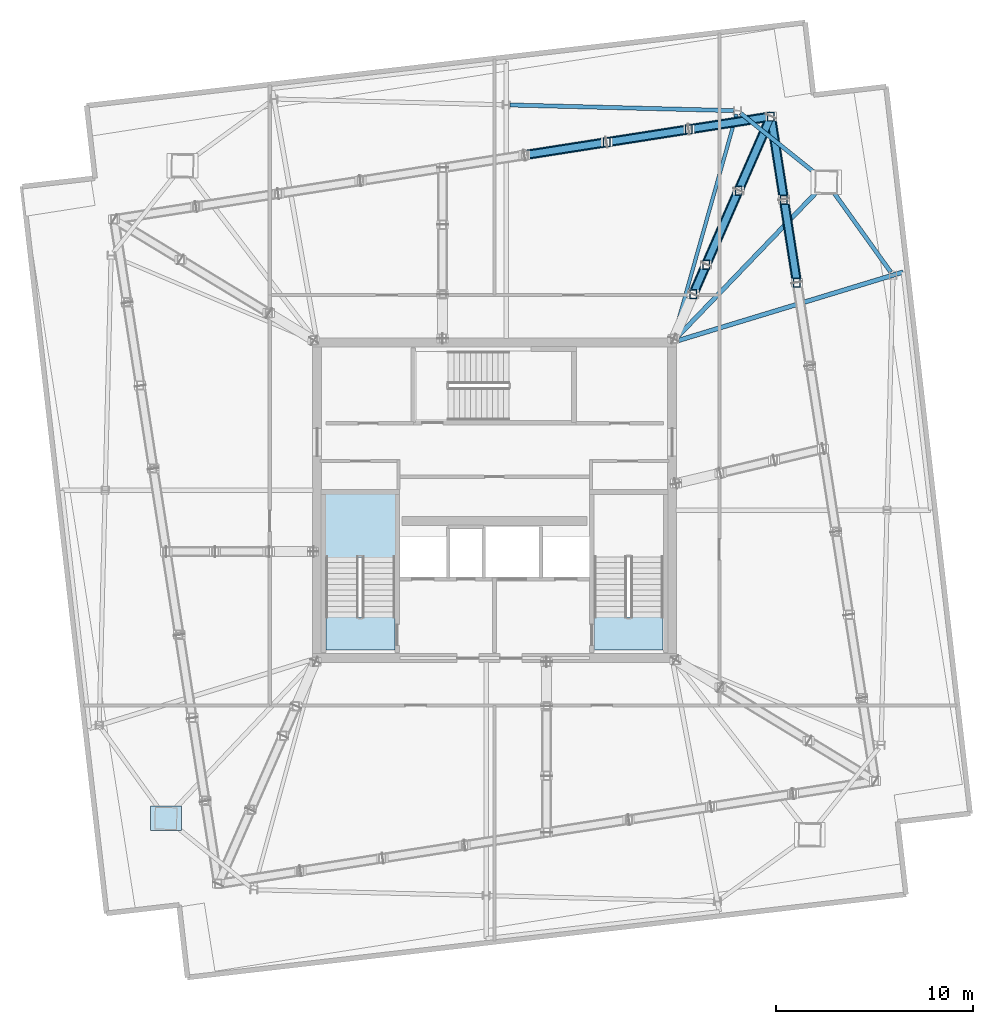
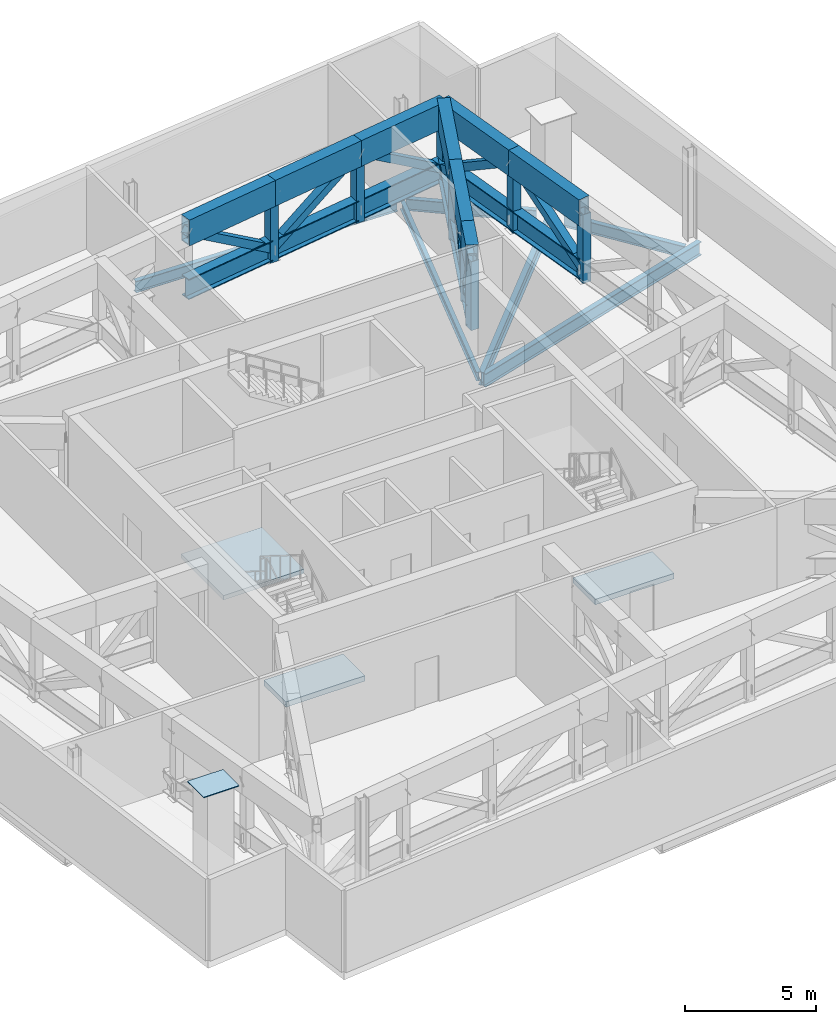
# One storey, part 4 of 13: 32 members, 6 beams, 3 slabs, 1 plate, 1 element without a shape of its own.
"""IFC4 building model written with IfcOpenShell, lengths in metres."""

from ifc_helpers import new_model, si_unit, direction, frame, origin, origin_2d, place, context, subcontext, project, spatial, polyline, rectangle, hollow_rectangle, i_section, outline, extrude, source, transform, mapped, material, layer, layer_set, material_profile, profile_set, type_object, element, aggregate, save


model = new_model("IFC4")

# Units and contexts
model_context = context("Model", 3, precision=1e-05, world=origin(), true_north=direction((0.0, 1.0)))
body_context = subcontext(model_context, "Body", "Model", "MODEL_VIEW")
ifc_project = project(units=[si_unit("LENGTHUNIT", "METRE"), si_unit("AREAUNIT", "SQUARE_METRE"), si_unit("VOLUMEUNIT", "CUBIC_METRE"), si_unit("PLANEANGLEUNIT", "RADIAN"), si_unit("MASSUNIT", "GRAM", prefix="KILO")], contexts=[model_context])

# Site, building, storey
site_placement = place(None, origin())
site = spatial("IfcSite", under=ifc_project, at=site_placement, CompositionType="ELEMENT")
building_placement = place(site_placement, origin())
building = spatial("IfcBuilding", under=site, at=building_placement, Name="Haldenkirk Collegiate Tower", CompositionType="ELEMENT")
storey_placement = place(building_placement, frame((0.0, 0.0, 352.199951171875)))
storey = spatial("IfcBuildingStorey", under=building, at=storey_placement, Name="L89", CompositionType="ELEMENT", Elevation=352.199951171875)

# Beams
ifc_material_1 = material(Name="Steel ASTM A992 Grade 50", Category="steel")
ifc_material_profile_1 = material_profile(ifc_material_1, i_section(OverallWidth=0.22998046875, OverallDepth=0.616943359375, WebThickness=0.01318359375, FlangeThickness=0.022216796875, at=origin_2d()), Name="W24X94")
ifc_profile_set_1 = profile_set([ifc_material_profile_1], Name="Steel ASTM A992 Grade 50")
beam_type_1 = type_object("IfcBeamType", Name="BM-GIRDER-W24X94", PredefinedType="BEAM", material=ifc_profile_set_1)
beam_1_placement = place(storey_placement, frame((52.428955078125, 41.7294921875, -0.70849609375), z_axis=(-0.692944915375, -0.720990529935, 0.0), x_axis=(0.720990529935, -0.692944915375, 0.0)))
element("IfcBeam", 1, at=beam_1_placement, inside=storey, type_object=beam_type_1, Name="L89 primary floor girder 02", PredefinedType="BEAM", context=body_context, shape_type="SweptSolid", body=[
    extrude(i_section(OverallWidth=0.22998046875, OverallDepth=0.616943359375, WebThickness=0.01318359375, FlangeThickness=0.022216796875, at=origin_2d()), origin(), (0.0, 0.0, 1.0), 10.515869140625),
])
beam_2_placement = place(storey_placement, frame((56.712890625, 37.566162109375, -0.70849609375), z_axis=(-0.956645631964, -0.291254416006, 0.0), x_axis=(0.291254416006, -0.956645631964, 0.0)))
element("IfcBeam", 2, at=beam_2_placement, inside=storey, type_object=beam_type_1, Name="L89 primary floor girder 07", PredefinedType="BEAM", context=body_context, shape_type="SweptSolid", body=[
    extrude(i_section(OverallWidth=0.22998046875, OverallDepth=0.616943359375, WebThickness=0.01318359375, FlangeThickness=0.022216796875, at=origin_2d()), origin(), (0.0, 0.0, 1.0), 12.038818359375),
])
ifc_material_profile_2 = material_profile(ifc_material_1, i_section(OverallWidth=0.177978515625, OverallDepth=0.406005859375, WebThickness=0.0078125, FlangeThickness=0.0126953125, at=origin_2d()), Name="W16X40")
ifc_profile_set_2 = profile_set([ifc_material_profile_2], Name="Steel ASTM A992 Grade 50")
beam_type_2 = type_object("IfcBeamType", Name="BM-JOIST-W16X40", PredefinedType="JOIST", material=ifc_profile_set_2)
beam_3_placement = place(storey_placement, frame((48.260498046875, 45.56396484375, -0.60302734375), z_axis=(-0.271369327718, -0.962475292137, 0.0), x_axis=(0.962475292137, -0.271369327718, 0.0)))
element("IfcBeam", 3, at=beam_3_placement, inside=storey, type_object=beam_type_2, Name="L89 composite floor joist 08", PredefinedType="JOIST", context=body_context, shape_type="SweptSolid", body=[
    extrude(i_section(OverallWidth=0.177978515625, OverallDepth=0.406005859375, WebThickness=0.0078125, FlangeThickness=0.0126953125, at=origin_2d()), origin(), (0.0, 0.0, 1.0), 11.809814453125),
])
ifc_material_profile_3 = material_profile(ifc_material_1, i_section(OverallWidth=0.2099609375, OverallDepth=0.537109375, WebThickness=0.010986328125, FlangeThickness=0.017333984375, at=origin_2d()), Name="W21X68")
ifc_profile_set_3 = profile_set([ifc_material_profile_3], Name="Steel ASTM A992 Grade 50")
beam_type_3 = type_object("IfcBeamType", Name="BM-SPANDREL-W21X68", PredefinedType="SPANDREL", material=ifc_profile_set_3)
beam_4_placement = place(storey_placement, frame((56.085693359375, 37.561279296875, -0.66845703125), z_axis=(-0.582300220922, 0.812973832737, 0.0), x_axis=(-0.812973832737, -0.582300220922, 0.0)))
element("IfcBeam", 4, at=beam_4_placement, inside=storey, type_object=beam_type_3, Name="L89 perimeter spandrel beam 04", PredefinedType="SPANDREL", context=body_context, shape_type="SweptSolid", body=[
    extrude(i_section(OverallWidth=0.2099609375, OverallDepth=0.537109375, WebThickness=0.010986328125, FlangeThickness=0.017333984375, at=origin_2d()), origin(), (0.0, 0.0, 1.0), 5.064453125),
])
beam_5_placement = place(storey_placement, frame((52.380859375, 42.477294921875, -0.66845703125), z_axis=(-0.779721728928, 0.626126205678, 0.0), x_axis=(-0.626126205678, -0.779721728928, 0.0)))
element("IfcBeam", 5, at=beam_5_placement, inside=storey, type_object=beam_type_3, Name="L89 perimeter spandrel beam 05", PredefinedType="SPANDREL", context=body_context, shape_type="SweptSolid", body=[
    extrude(i_section(OverallWidth=0.2099609375, OverallDepth=0.537109375, WebThickness=0.010986328125, FlangeThickness=0.017333984375, at=origin_2d()), origin(), (0.0, 0.0, 1.0), 5.03076171875),
])
beam_6_placement = place(storey_placement, frame((48.123779296875, 45.74951171875, -0.66845703125), z_axis=(-0.999679864584, 0.025301548267, 0.0), x_axis=(-0.025301548267, -0.999679864584, 0.0)))
element("IfcBeam", 6, at=beam_6_placement, inside=storey, type_object=beam_type_3, Name="L89 perimeter spandrel beam 06", PredefinedType="SPANDREL", context=body_context, shape_type="SweptSolid", body=[
    extrude(i_section(OverallWidth=0.2099609375, OverallDepth=0.537109375, WebThickness=0.010986328125, FlangeThickness=0.017333984375, at=origin_2d()), origin(), (0.0, 0.0, 1.0), 11.357177734375),
])

# Members
ifc_material_2 = material(Name="Steel ASTM A572 Grade 50", Category="steel")
ifc_material_profile_4 = material_profile(ifc_material_2, hollow_rectangle(XDim=0.5, YDim=1.199951171875, WallThickness=0.050048828125, at=origin_2d()), Name="BOX1200X500X50")
ifc_profile_set_4 = profile_set([ifc_material_profile_4], Name="Steel ASTM A572 Grade 50")
member_type_1 = type_object("IfcMemberType", Name="MBR-CHORD-BOX1200", PredefinedType="CHORD", material=ifc_profile_set_4)
member_1_placement = place(storey_placement, frame((46.07177734375, 36.449951171875, 3.199951171875), z_axis=(0.400724281953, 0.916198695619, 0.0), x_axis=(-0.916198695619, 0.400724281953, 0.0)))
element("IfcMember", 7, at=member_1_placement, inside=storey, type_object=member_type_1, Name="Outrigger Truss L89-3 top chord 2", PredefinedType="CHORD", context=body_context, shape_type="SweptSolid", body=[
    extrude(hollow_rectangle(XDim=0.5, YDim=1.199951171875, WallThickness=0.050048828125, at=origin_2d()), origin(), (0.0, 0.0, 1.0), 1.62548828125),
])
member_2_placement = place(storey_placement, frame((46.72314453125, 37.939208984375, 3.199951171875), z_axis=(0.400750110003, 0.916187398589, 0.0), x_axis=(-0.916187398589, 0.400750110003, 0.0)))
element("IfcMember", 8, at=member_2_placement, inside=storey, type_object=member_type_1, Name="Outrigger Truss L89-3 top chord 3", PredefinedType="CHORD", context=body_context, shape_type="SweptSolid", body=[
    extrude(hollow_rectangle(XDim=0.5, YDim=1.199951171875, WallThickness=0.050048828125, at=origin_2d()), origin(), (0.0, 0.0, 1.0), 4.10009765625),
])
member_3_placement = place(storey_placement, frame((48.3662109375, 41.695556640625, 3.199951171875), z_axis=(0.400771974424, 0.916177834548, 0.0), x_axis=(-0.916177834548, 0.400771974424, 0.0)))
element("IfcMember", 9, at=member_3_placement, inside=storey, type_object=member_type_1, Name="Outrigger Truss L89-3 top chord 4", PredefinedType="CHORD", context=body_context, shape_type="SweptSolid", body=[
    extrude(hollow_rectangle(XDim=0.5, YDim=1.199951171875, WallThickness=0.050048828125, at=origin_2d()), origin(), (0.0, 0.0, 1.0), 4.099853515625),
])
for number, where, z_axis, x_axis, name in (
    (10, (51.328125, 37.029296875, 3.199951171875), (-0.154703604037, 0.987960927819, 0.0), (-0.987960927819, -0.154703604037, 0.0), "Belt Truss L89-2 top chord 3"),
    (11, (50.668701171875, 41.240478515625, 3.199951171875), (-0.154703604037, 0.987960927819, 0.0), (-0.987960927819, -0.154703604037, 0.0), "Belt Truss L89-2 top chord 4"),
):
    element("IfcMember", number, at=place(storey_placement, frame(where, z_axis=z_axis, x_axis=x_axis)), inside=storey, type_object=member_type_1, Name=name, PredefinedType="CHORD", context=body_context, shape_type="SweptSolid", body=[
        extrude(hollow_rectangle(XDim=0.5, YDim=1.199951171875, WallThickness=0.050048828125, at=origin_2d()), origin(), (0.0, 0.0, 1.0), 4.262451171875),
    ])
member_4_placement = place(storey_placement, frame((50.00927734375, 45.45166015625, 3.199951171875), z_axis=(-0.98795533843, -0.154739294516, 0.0), x_axis=(0.154739294516, -0.98795533843, 0.0)))
element("IfcMember", 12, at=member_4_placement, inside=storey, type_object=member_type_1, Name="Belt Truss L89-3 top chord 1", PredefinedType="CHORD", context=body_context, shape_type="SweptSolid", body=[
    extrude(hollow_rectangle(XDim=0.5, YDim=1.199951171875, WallThickness=0.050048828125, at=origin_2d()), origin(), (0.0, 0.0, 1.0), 4.212646484375),
])
member_5_placement = place(storey_placement, frame((45.847412109375, 44.7998046875, 3.199951171875), z_axis=(-0.987962809958, -0.154691583936, 0.0), x_axis=(0.154691583936, -0.987962809958, 0.0)))
element("IfcMember", 13, at=member_5_placement, inside=storey, type_object=member_type_1, Name="Belt Truss L89-3 top chord 2", PredefinedType="CHORD", context=body_context, shape_type="SweptSolid", body=[
    extrude(hollow_rectangle(XDim=0.5, YDim=1.199951171875, WallThickness=0.050048828125, at=origin_2d()), origin(), (0.0, 0.0, 1.0), 4.21240234375),
])
member_6_placement = place(storey_placement, frame((41.685791015625, 44.148193359375, 3.199951171875), z_axis=(-0.98795533843, -0.154739294516, 0.0), x_axis=(0.154739294516, -0.98795533843, 0.0)))
element("IfcMember", 14, at=member_6_placement, inside=storey, type_object=member_type_1, Name="Belt Truss L89-3 top chord 3", PredefinedType="CHORD", context=body_context, shape_type="SweptSolid", body=[
    extrude(hollow_rectangle(XDim=0.5, YDim=1.199951171875, WallThickness=0.050048828125, at=origin_2d()), origin(), (0.0, 0.0, 1.0), 4.212646484375),
])
ifc_material_3 = material(Name="Steel ASTM A913 Grade 65", Category="steel")
ifc_material_profile_5 = material_profile(ifc_material_3, i_section(OverallWidth=0.423095703125, OverallDepth=0.947998046875, WebThickness=0.02392578125, FlangeThickness=0.042724609375, at=origin_2d()), Name="W36X302")
ifc_profile_set_5 = profile_set([ifc_material_profile_5], Name="Steel ASTM A913 Grade 65")
member_type_2 = type_object("IfcMemberType", Name="MBR-CHORD-W36X302", PredefinedType="CHORD", material=ifc_profile_set_5)
member_7_placement = place(storey_placement, frame((46.07177734375, 36.449951171875, 0.550048828125), z_axis=(0.400724281953, 0.916198695619, 0.0), x_axis=(-0.916198695619, 0.400724281953, 0.0)))
element("IfcMember", 15, at=member_7_placement, inside=storey, type_object=member_type_2, Name="Outrigger Truss L89-3 bottom chord 2", PredefinedType="CHORD", context=body_context, shape_type="SweptSolid", body=[
    extrude(i_section(OverallWidth=0.423095703125, OverallDepth=0.947998046875, WebThickness=0.02392578125, FlangeThickness=0.042724609375, at=origin_2d()), origin(), (0.0, 0.0, 1.0), 1.62548828125),
])
member_8_placement = place(storey_placement, frame((46.72314453125, 37.939208984375, 0.550048828125), z_axis=(0.400750110003, 0.916187398589, 0.0), x_axis=(-0.916187398589, 0.400750110003, 0.0)))
element("IfcMember", 16, at=member_8_placement, inside=storey, type_object=member_type_2, Name="Outrigger Truss L89-3 bottom chord 3", PredefinedType="CHORD", context=body_context, shape_type="SweptSolid", body=[
    extrude(i_section(OverallWidth=0.423095703125, OverallDepth=0.947998046875, WebThickness=0.02392578125, FlangeThickness=0.042724609375, at=origin_2d()), origin(), (0.0, 0.0, 1.0), 4.10009765625),
])
member_9_placement = place(storey_placement, frame((48.3662109375, 41.695556640625, 0.550048828125), z_axis=(0.400771974424, 0.916177834548, 0.0), x_axis=(-0.916177834548, 0.400771974424, 0.0)))
element("IfcMember", 17, at=member_9_placement, inside=storey, type_object=member_type_2, Name="Outrigger Truss L89-3 bottom chord 4", PredefinedType="CHORD", context=body_context, shape_type="SweptSolid", body=[
    extrude(i_section(OverallWidth=0.423095703125, OverallDepth=0.947998046875, WebThickness=0.02392578125, FlangeThickness=0.042724609375, at=origin_2d()), origin(), (0.0, 0.0, 1.0), 4.099853515625),
])
for number, where, z_axis, x_axis, name in (
    (18, (51.328125, 37.029296875, 0.550048828125), (-0.154703604037, 0.987960927819, 0.0), (-0.987960927819, -0.154703604037, 0.0), "Belt Truss L89-2 bottom chord 3"),
    (19, (50.668701171875, 41.240478515625, 0.550048828125), (-0.154703604037, 0.987960927819, 0.0), (-0.987960927819, -0.154703604037, 0.0), "Belt Truss L89-2 bottom chord 4"),
):
    element("IfcMember", number, at=place(storey_placement, frame(where, z_axis=z_axis, x_axis=x_axis)), inside=storey, type_object=member_type_2, Name=name, PredefinedType="CHORD", context=body_context, shape_type="SweptSolid", body=[
        extrude(i_section(OverallWidth=0.423095703125, OverallDepth=0.947998046875, WebThickness=0.02392578125, FlangeThickness=0.042724609375, at=origin_2d()), origin(), (0.0, 0.0, 1.0), 4.262451171875),
    ])
member_10_placement = place(storey_placement, frame((50.00927734375, 45.45166015625, 0.550048828125), z_axis=(-0.98795533843, -0.154739294516, 0.0), x_axis=(0.154739294516, -0.98795533843, 0.0)))
element("IfcMember", 20, at=member_10_placement, inside=storey, type_object=member_type_2, Name="Belt Truss L89-3 bottom chord 1", PredefinedType="CHORD", context=body_context, shape_type="SweptSolid", body=[
    extrude(i_section(OverallWidth=0.423095703125, OverallDepth=0.947998046875, WebThickness=0.02392578125, FlangeThickness=0.042724609375, at=origin_2d()), origin(), (0.0, 0.0, 1.0), 4.212646484375),
])
member_11_placement = place(storey_placement, frame((45.847412109375, 44.7998046875, 0.550048828125), z_axis=(-0.987962809958, -0.154691583936, 0.0), x_axis=(0.154691583936, -0.987962809958, 0.0)))
element("IfcMember", 21, at=member_11_placement, inside=storey, type_object=member_type_2, Name="Belt Truss L89-3 bottom chord 2", PredefinedType="CHORD", context=body_context, shape_type="SweptSolid", body=[
    extrude(i_section(OverallWidth=0.423095703125, OverallDepth=0.947998046875, WebThickness=0.02392578125, FlangeThickness=0.042724609375, at=origin_2d()), origin(), (0.0, 0.0, 1.0), 4.21240234375),
])
member_12_placement = place(storey_placement, frame((41.685791015625, 44.148193359375, 0.550048828125), z_axis=(-0.98795533843, -0.154739294516, 0.0), x_axis=(0.154739294516, -0.98795533843, 0.0)))
element("IfcMember", 22, at=member_12_placement, inside=storey, type_object=member_type_2, Name="Belt Truss L89-3 bottom chord 3", PredefinedType="CHORD", context=body_context, shape_type="SweptSolid", body=[
    extrude(i_section(OverallWidth=0.423095703125, OverallDepth=0.947998046875, WebThickness=0.02392578125, FlangeThickness=0.042724609375, at=origin_2d()), origin(), (0.0, 0.0, 1.0), 4.212646484375),
])
ifc_material_profile_6 = material_profile(ifc_material_2, hollow_rectangle(XDim=0.35009765625, YDim=0.35009765625, WallThickness=0.01611328125, at=origin_2d()), Name="HSS350X350X16")
ifc_profile_set_6 = profile_set([ifc_material_profile_6], Name="Steel ASTM A572 Grade 50")
member_type_3 = type_object("IfcMemberType", Name="MBR-TRUSSDIAG-HSS350X350X16", PredefinedType="BRACE", material=ifc_profile_set_6)
member_13_placement = place(storey_placement, frame((46.07177734375, 36.449951171875, 3.199951171875), z_axis=(0.20952894945, 0.479057942896, -0.852409002), x_axis=(-0.916198695619, 0.400724281953, 0.0)))
element("IfcMember", 23, at=member_13_placement, inside=storey, type_object=member_type_3, Name="Outrigger Truss L89-3 web diagonal 2", PredefinedType="BRACE", context=body_context, shape_type="SweptSolid", body=[
    extrude(hollow_rectangle(XDim=0.35009765625, YDim=0.35009765625, WallThickness=0.01611328125, at=origin_2d()), origin(), (0.0, 0.0, 1.0), 3.108642578125),
])
member_14_placement = place(storey_placement, frame((46.72314453125, 37.939208984375, 0.550048828125), z_axis=(0.336571018929, 0.769462362146, 0.542814537809), x_axis=(-0.916187398589, 0.400750110003, 0.0)))
element("IfcMember", 24, at=member_14_placement, inside=storey, type_object=member_type_3, Name="Outrigger Truss L89-3 web diagonal 3", PredefinedType="BRACE", context=body_context, shape_type="SweptSolid", body=[
    extrude(hollow_rectangle(XDim=0.35009765625, YDim=0.35009765625, WallThickness=0.01611328125, at=origin_2d()), origin(), (0.0, 0.0, 1.0), 4.8818359375),
])
member_15_placement = place(storey_placement, frame((48.3662109375, 41.695556640625, 3.199951171875), z_axis=(0.336583970925, 0.76944196028, -0.542835426512), x_axis=(-0.916177834548, 0.400771974424, 0.0)))
element("IfcMember", 25, at=member_15_placement, inside=storey, type_object=member_type_3, Name="Outrigger Truss L89-3 web diagonal 4", PredefinedType="BRACE", context=body_context, shape_type="SweptSolid", body=[
    extrude(hollow_rectangle(XDim=0.35009765625, YDim=0.35009765625, WallThickness=0.01611328125, at=origin_2d()), origin(), (0.0, 0.0, 1.0), 4.881591796875),
])
for number, where, z_axis, x_axis, name in (
    (26, (51.328125, 37.029296875, 0.550048828125), (-0.131384165452, 0.83903941869, 0.527968801117), (-0.987960927819, -0.154703604037, 0.0), "Belt Truss L89-2 web diagonal 3"),
    (27, (50.668701171875, 41.240478515625, 3.199951171875), (-0.131384165452, 0.83903941869, -0.527968801117), (-0.987960927819, -0.154703604037, 0.0), "Belt Truss L89-2 web diagonal 4"),
):
    element("IfcMember", number, at=place(storey_placement, frame(where, z_axis=z_axis, x_axis=x_axis)), inside=storey, type_object=member_type_3, Name=name, PredefinedType="BRACE", context=body_context, shape_type="SweptSolid", body=[
        extrude(hollow_rectangle(XDim=0.35009765625, YDim=0.35009765625, WallThickness=0.01611328125, at=origin_2d()), origin(), (0.0, 0.0, 1.0), 5.01904296875),
    ])
member_16_placement = place(storey_placement, frame((50.00927734375, 45.45166015625, 0.550048828125), z_axis=(-0.836262007155, -0.130980205262, 0.532456609706), x_axis=(0.154739294516, -0.98795533843, 0.0)))
element("IfcMember", 28, at=member_16_placement, inside=storey, type_object=member_type_3, Name="Belt Truss L89-3 web diagonal 1", PredefinedType="BRACE", context=body_context, shape_type="SweptSolid", body=[
    extrude(hollow_rectangle(XDim=0.35009765625, YDim=0.35009765625, WallThickness=0.01611328125, at=origin_2d()), origin(), (0.0, 0.0, 1.0), 4.976806640625),
])
member_17_placement = place(storey_placement, frame((45.847412109375, 44.7998046875, 3.199951171875), z_axis=(-0.836252629414, -0.130937361722, -0.532481874907), x_axis=(0.154691583936, -0.987962809958, 0.0)))
element("IfcMember", 29, at=member_17_placement, inside=storey, type_object=member_type_3, Name="Belt Truss L89-3 web diagonal 2", PredefinedType="BRACE", context=body_context, shape_type="SweptSolid", body=[
    extrude(hollow_rectangle(XDim=0.35009765625, YDim=0.35009765625, WallThickness=0.01611328125, at=origin_2d()), origin(), (0.0, 0.0, 1.0), 4.9765625),
])
member_18_placement = place(storey_placement, frame((41.685791015625, 44.148193359375, 0.550048828125), z_axis=(-0.836262007155, -0.130980205262, 0.532456609706), x_axis=(0.154739294516, -0.98795533843, 0.0)))
element("IfcMember", 30, at=member_18_placement, inside=storey, type_object=member_type_3, Name="Belt Truss L89-3 web diagonal 3", PredefinedType="BRACE", context=body_context, shape_type="SweptSolid", body=[
    extrude(hollow_rectangle(XDim=0.35009765625, YDim=0.35009765625, WallThickness=0.01611328125, at=origin_2d()), origin(), (0.0, 0.0, 1.0), 4.976806640625),
])
ifc_material_profile_7 = material_profile(ifc_material_2, hollow_rectangle(XDim=0.35009765625, YDim=0.449951171875, WallThickness=0.02197265625, at=origin_2d()), Name="HSS450X350X22")
ifc_profile_set_7 = profile_set([ifc_material_profile_7], Name="Steel ASTM A572 Grade 50")
member_type_4 = type_object("IfcMemberType", Name="MBR-TRUSSPOST-HSS450X350X22", PredefinedType="POST", material=ifc_profile_set_7)
for number, where, z_axis, x_axis, name in (
    (31, (46.07177734375, 36.449951171875, 0.0), (0.0, 0.0, 1.0), (1.0, 0.0, 0.0), "Outrigger Truss L89-3 vertical post 2"),
    (32, (46.72314453125, 37.939208984375, 0.0), (0.0, 0.0, 1.0), (1.0, 0.0, 0.0), "Outrigger Truss L89-3 vertical post 3"),
    (33, (48.3662109375, 41.695556640625, 0.0), (0.0, 0.0, 1.0), (1.0, 0.0, 0.0), "Outrigger Truss L89-3 vertical post 4"),
    (34, (50.00927734375, 45.45166015625, 0.0), (0.0, 0.0, 1.0), (1.0, 0.0, 0.0), "Outrigger Truss L89-3 vertical post 5"),
    (35, (51.328125, 37.029296875, 0.0), (0.0, 0.0, 1.0), (1.0, 0.0, 0.0), "Belt Truss L89-2 vertical post 3"),
    (36, (50.668701171875, 41.240478515625, 0.0), (0.0, 0.0, 1.0), (1.0, 0.0, 0.0), "Belt Truss L89-2 vertical post 4"),
    (37, (45.847412109375, 44.7998046875, 0.0), (0.0, 0.0, 1.0), (1.0, 0.0, 0.0), "Belt Truss L89-3 vertical post 2"),
    (38, (41.685791015625, 44.148193359375, 0.0), (0.0, 0.0, 1.0), (1.0, 0.0, 0.0), "Belt Truss L89-3 vertical post 3"),
):
    element("IfcMember", number, at=place(storey_placement, frame(where, z_axis=z_axis, x_axis=x_axis)), inside=storey, type_object=member_type_4, Name=name, PredefinedType="POST", context=body_context, shape_type="SweptSolid", body=[
        extrude(hollow_rectangle(XDim=0.35009765625, YDim=0.449951171875, WallThickness=0.02197265625, at=origin_2d()), origin(), (0.0, 0.0, 1.0), 3.199951171875),
    ])

# Stair, slab
ifc_material_4 = material(Name="Concrete f'c 40 MPa", Category="concrete")
stair_type = type_object("IfcStairType", Name="STR-DOGLEG-1650", PredefinedType="HALF_TURN_STAIR", material=ifc_material_4)
stair_placement = place(storey_placement, origin())
stair = element("IfcStair", 39, at=stair_placement, inside=storey, type_object=stair_type, Name="L89 Core Exit Stair ST-1", PredefinedType="HALF_TURN_STAIR")
ifc_layer_1 = layer(ifc_material_4, 0.199951171875)
ifc_layer_set_1 = layer_set([ifc_layer_1], Name="Concrete f'c 40 MPa")
slab_type_1 = type_object("IfcSlabType", Name="SLB-LANDING-200", PredefinedType="LANDING", material=ifc_layer_set_1)
slab_1_placement = place(storey_placement, frame((0.0, 0.0, 1.900146484375)))
slab_1 = element("IfcSlab", 40, at=slab_1_placement, type_object=slab_type_1, Name="ST-1 landing 1", PredefinedType="LANDING", context=body_context, shape_type="SweptSolid", body=[
    extrude(outline(polyline([(30.97509765625, 23.10498046875), (27.425048828125, 23.10498046875), (27.425048828125, 26.324951171875), (30.97509765625, 26.324951171875), (30.97509765625, 23.10498046875)])), origin(), (0.0, 0.0, 1.0), 0.199951171875),
])
aggregate(stair, [slab_1])

# Slabs
ifc_layer_2 = layer(ifc_material_4, 0.25)
ifc_layer_set_2 = layer_set([ifc_layer_2], Name="Concrete f'c 40 MPa")
slab_type_2 = type_object("IfcSlabType", Name="SLB-STAIRLAND-250", PredefinedType="LANDING", material=ifc_layer_set_2)
slab_2_placement = place(storey_placement, frame((0.0, 0.0, -0.25)))
element("IfcSlab", 41, at=slab_2_placement, inside=storey, type_object=slab_type_2, Name="L89 stair ST1 structural floor landing slab", PredefinedType="LANDING", context=body_context, shape_type="SweptSolid", body=[
    extrude(outline(polyline([(27.4599609375, 18.409912109375), (30.93994140625, 18.409912109375), (30.93994140625, 20.080078125), (27.4599609375, 20.080078125), (27.4599609375, 18.409912109375)])), origin(), (0.0, 0.0, 1.0), 0.25),
])
slab_3_placement = place(storey_placement, frame((0.0, 0.0, -0.25)))
element("IfcSlab", 42, at=slab_3_placement, inside=storey, type_object=slab_type_2, Name="L89 stair ST2 structural floor landing slab", PredefinedType="LANDING", context=body_context, shape_type="SweptSolid", body=[
    extrude(outline(polyline([(41.06005859375, 18.409912109375), (44.5400390625, 18.409912109375), (44.5400390625, 20.080078125), (41.06005859375, 20.080078125), (41.06005859375, 18.409912109375)])), origin(), (0.0, 0.0, 1.0), 0.25),
])

# Plate
ifc_layer_3 = layer(ifc_material_2, 0.0400390625)
ifc_layer_set_3 = layer_set([ifc_layer_3], Name="Steel ASTM A572 Grade 50")
plate_type = type_object("IfcPlateType", Name="PLT-CAP-MEGA-1240X980", PredefinedType="USERDEFINED", material=ifc_layer_set_3)
shared_shape = source(origin(), body_context, "Body", "SweptSolid", [
    extrude(rectangle(XDim=1.56005859375, YDim=1.239990234375, at=origin_2d()), origin(), (0.0, 0.0, 1.0), 0.0400390625),
])
plate_placement = place(storey_placement, frame((19.33642578125, 9.866455078125, 4.197021484375), z_axis=(0.0, 0.0, 1.0), x_axis=(1.0, 0.0, 0.0)))
element("IfcPlate", 43, at=plate_placement, inside=storey, type_object=plate_type, Name="L89 crown transfer mega-column MC4 top seal plate", ObjectType="END CAP PLATE", PredefinedType="USERDEFINED", context=body_context, shape_type="MappedRepresentation", body=[
    mapped(shared_shape, transform((0.0, 0.0, 0.0), x_axis=(1.0, 0.0, 0.0), y_axis=(0.0, 1.0, 0.0), z_axis=(0.0, 0.0, 1.0), scale=1.0)),
])

save(model, "model.ifc")
